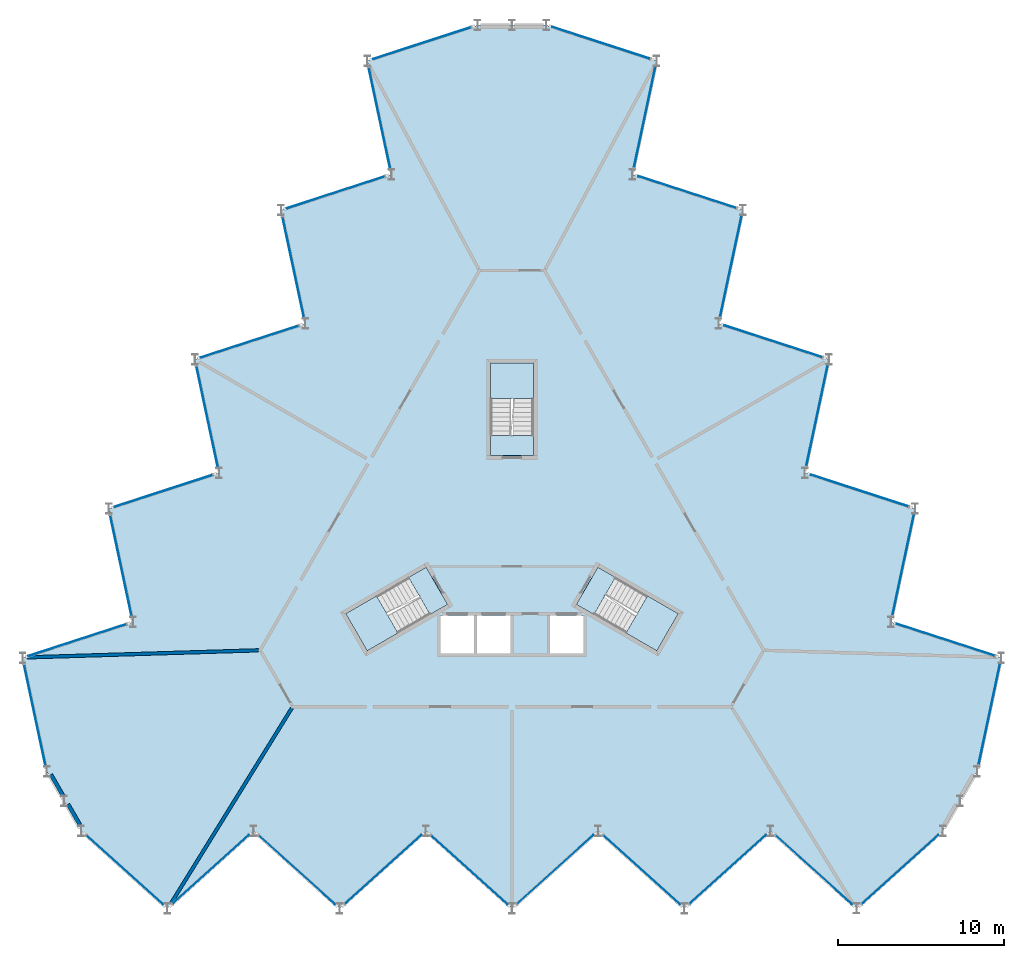
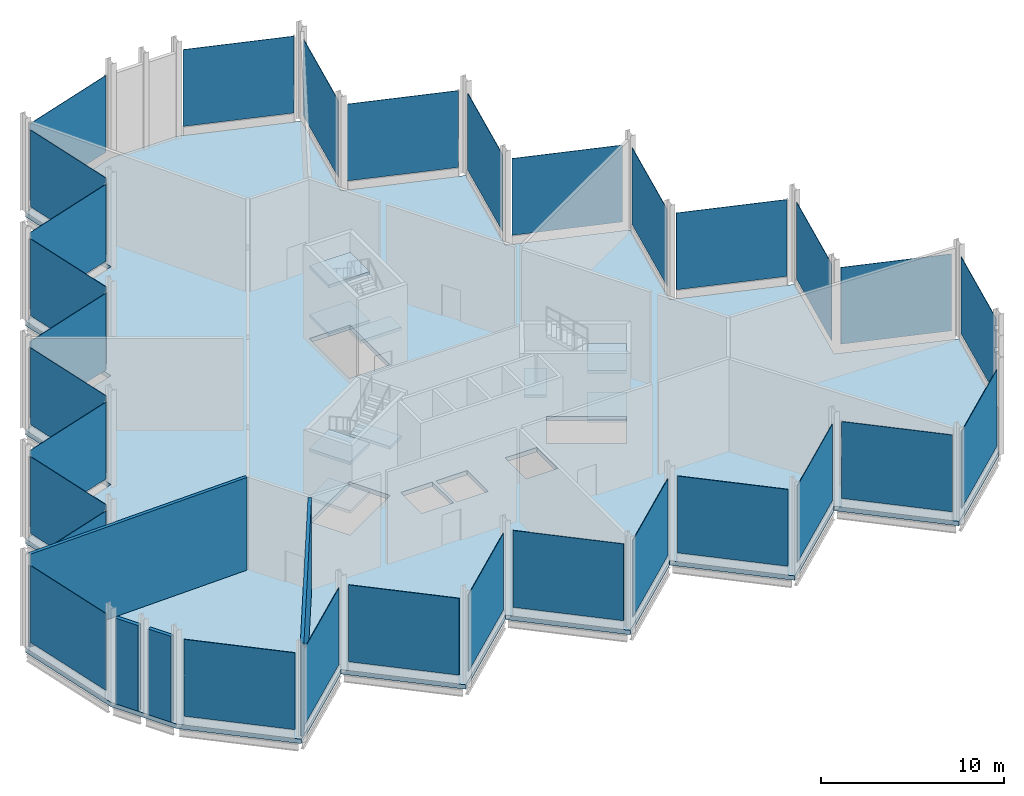
# One storey, part 9 of 12: 30 plates, 10 slabs, 4 walls, 33 elements without a shape of their own.
"""IFC4 building model written with IfcOpenShell, lengths in metres."""

from ifc_helpers import new_model, si_unit, direction, frame, frame_2d, origin, origin_2d, place, context, subcontext, project, spatial, polyline, rectangle, outline, extrude, material, layer, layer_set, type_object, element, aggregate, save


model = new_model("IFC4")

# Units and contexts
model_context = context("Model", 3, precision=1e-05, world=origin(), true_north=direction((0.0, 1.0)))
body_context = subcontext(model_context, "Body", "Model", "MODEL_VIEW")
ifc_project = project(units=[si_unit("LENGTHUNIT", "METRE"), si_unit("AREAUNIT", "SQUARE_METRE"), si_unit("VOLUMEUNIT", "CUBIC_METRE"), si_unit("PLANEANGLEUNIT", "RADIAN"), si_unit("MASSUNIT", "GRAM", prefix="KILO")], contexts=[model_context])

# Site, building, storey
site_placement = place(None, origin())
site = spatial("IfcSite", under=ifc_project, at=site_placement, CompositionType="ELEMENT")
building_placement = place(site_placement, origin())
building = spatial("IfcBuilding", under=site, at=building_placement, Name="Cormorant Prow Tower", CompositionType="ELEMENT")
storey_placement = place(building_placement, frame((0.0, 0.0, 421.699951171875)))
storey = spatial("IfcBuildingStorey", under=building, at=storey_placement, Name="L95", CompositionType="ELEMENT", Elevation=421.699951171875)

# Curtain wall, plate
ifc_material_1 = material(Name="Aluminium 6063-T6", Category="aluminium")
ifc_layer_1 = layer(ifc_material_1, 0.219970703125)
ifc_layer_set_1 = layer_set([ifc_layer_1], Name="Aluminium 6063-T6")
curtain_wall_type = type_object("IfcCurtainWallType", Name="Crown unitised curtain wall 220", PredefinedType="NOTDEFINED", material=ifc_layer_set_1)
curtain_wall_1_placement = place(storey_placement, origin())
curtain_wall_1 = element("IfcCurtainWall", 1, at=curtain_wall_1_placement, inside=storey, type_object=curtain_wall_type, Name="Crown curtain wall crown S00", PredefinedType="NOTDEFINED")
ifc_material_2 = material(Name="Clear glass", Category="glass")
ifc_layer_2 = layer(ifc_material_2, 0.031982421875)
ifc_layer_set_2 = layer_set([ifc_layer_2], Name="Clear glass")
plate_type = type_object("IfcPlateType", Name="Crown glass panel 32", PredefinedType="CURTAIN_PANEL", material=ifc_layer_set_2)
plate_1_placement = place(storey_placement, frame((-23.377685546875, -19.766845703125, 0.60009765625), z_axis=(0.0, 0.0, 1.0), x_axis=(0.743144827638, -0.669130603959, 0.0)))
plate_1 = element("IfcPlate", 2, at=plate_1_placement, type_object=plate_type, Name="Crown glass panel crown S00", PredefinedType="CURTAIN_PANEL", context=body_context, shape_type="SweptSolid", body=[
    extrude(rectangle(XDim=6.205322265625, YDim=0.031982421875, at=origin_2d()), origin(), (0.0, 0.0, 1.0), 5.1337890625),
])
aggregate(curtain_wall_1, [plate_1])

curtain_wall_2_placement = place(storey_placement, origin())
curtain_wall_2 = element("IfcCurtainWall", 3, at=curtain_wall_2_placement, inside=storey, type_object=curtain_wall_type, Name="Crown curtain wall crown S01", PredefinedType="NOTDEFINED")
plate_2_placement = place(storey_placement, frame((-18.177734375, -19.726806640625, 0.60009765625), z_axis=(0.0, 0.0, 1.0), x_axis=(0.743144827638, 0.669130603959, 0.0)))
plate_2 = element("IfcPlate", 4, at=plate_2_placement, type_object=plate_type, Name="Crown glass panel crown S01", PredefinedType="CURTAIN_PANEL", context=body_context, shape_type="SweptSolid", body=[
    extrude(rectangle(XDim=6.205322265625, YDim=0.031982421875, at=origin_2d()), origin(), (0.0, 0.0, 1.0), 5.1337890625),
])
aggregate(curtain_wall_2, [plate_2])

curtain_wall_3_placement = place(storey_placement, origin())
curtain_wall_3 = element("IfcCurtainWall", 5, at=curtain_wall_3_placement, inside=storey, type_object=curtain_wall_type, Name="Crown curtain wall crown S02", PredefinedType="NOTDEFINED")
plate_3_placement = place(storey_placement, frame((-12.977783203125, -19.766845703125, 0.60009765625), z_axis=(0.0, 0.0, 1.0), x_axis=(0.743144827638, -0.669130603959, 0.0)))
plate_3 = element("IfcPlate", 6, at=plate_3_placement, type_object=plate_type, Name="Crown glass panel crown S02", PredefinedType="CURTAIN_PANEL", context=body_context, shape_type="SweptSolid", body=[
    extrude(rectangle(XDim=6.205322265625, YDim=0.031982421875, at=origin_2d()), origin(), (0.0, 0.0, 1.0), 5.1337890625),
])
aggregate(curtain_wall_3, [plate_3])

curtain_wall_4_placement = place(storey_placement, origin())
curtain_wall_4 = element("IfcCurtainWall", 7, at=curtain_wall_4_placement, inside=storey, type_object=curtain_wall_type, Name="Crown curtain wall crown S03", PredefinedType="NOTDEFINED")
plate_4_placement = place(storey_placement, frame((-7.777587890625, -19.726806640625, 0.60009765625), z_axis=(0.0, 0.0, 1.0), x_axis=(0.743144827638, 0.669130603959, 0.0)))
plate_4 = element("IfcPlate", 8, at=plate_4_placement, type_object=plate_type, Name="Crown glass panel crown S03", PredefinedType="CURTAIN_PANEL", context=body_context, shape_type="SweptSolid", body=[
    extrude(rectangle(XDim=6.205322265625, YDim=0.031982421875, at=origin_2d()), origin(), (0.0, 0.0, 1.0), 5.1337890625),
])
aggregate(curtain_wall_4, [plate_4])

curtain_wall_5_placement = place(storey_placement, origin())
curtain_wall_5 = element("IfcCurtainWall", 9, at=curtain_wall_5_placement, inside=storey, type_object=curtain_wall_type, Name="Crown curtain wall crown S04", PredefinedType="NOTDEFINED")
plate_5_placement = place(storey_placement, frame((-2.57763671875, -19.766845703125, 0.60009765625), z_axis=(0.0, 0.0, 1.0), x_axis=(0.743144827638, -0.669130603959, 0.0)))
plate_5 = element("IfcPlate", 10, at=plate_5_placement, type_object=plate_type, Name="Crown glass panel crown S04", PredefinedType="CURTAIN_PANEL", context=body_context, shape_type="SweptSolid", body=[
    extrude(rectangle(XDim=6.205322265625, YDim=0.031982421875, at=origin_2d()), origin(), (0.0, 0.0, 1.0), 5.1337890625),
])
aggregate(curtain_wall_5, [plate_5])

curtain_wall_6_placement = place(storey_placement, origin())
curtain_wall_6 = element("IfcCurtainWall", 11, at=curtain_wall_6_placement, inside=storey, type_object=curtain_wall_type, Name="Crown curtain wall crown S05", PredefinedType="NOTDEFINED")
plate_6_placement = place(storey_placement, frame((2.622314453125, -19.726806640625, 0.60009765625), z_axis=(0.0, 0.0, 1.0), x_axis=(0.743144827638, 0.669130603959, 0.0)))
plate_6 = element("IfcPlate", 12, at=plate_6_placement, type_object=plate_type, Name="Crown glass panel crown S05", PredefinedType="CURTAIN_PANEL", context=body_context, shape_type="SweptSolid", body=[
    extrude(rectangle(XDim=6.205322265625, YDim=0.031982421875, at=origin_2d()), origin(), (0.0, 0.0, 1.0), 5.1337890625),
])
aggregate(curtain_wall_6, [plate_6])

curtain_wall_7_placement = place(storey_placement, origin())
curtain_wall_7 = element("IfcCurtainWall", 13, at=curtain_wall_7_placement, inside=storey, type_object=curtain_wall_type, Name="Crown curtain wall crown S06", PredefinedType="NOTDEFINED")
plate_7_placement = place(storey_placement, frame((7.822265625, -19.766845703125, 0.60009765625), z_axis=(0.0, 0.0, 1.0), x_axis=(0.743144827638, -0.669130603959, 0.0)))
plate_7 = element("IfcPlate", 14, at=plate_7_placement, type_object=plate_type, Name="Crown glass panel crown S06", PredefinedType="CURTAIN_PANEL", context=body_context, shape_type="SweptSolid", body=[
    extrude(rectangle(XDim=6.205322265625, YDim=0.031982421875, at=origin_2d()), origin(), (0.0, 0.0, 1.0), 5.1337890625),
])
aggregate(curtain_wall_7, [plate_7])

curtain_wall_8_placement = place(storey_placement, origin())
curtain_wall_8 = element("IfcCurtainWall", 15, at=curtain_wall_8_placement, inside=storey, type_object=curtain_wall_type, Name="Crown curtain wall crown S07", PredefinedType="NOTDEFINED")
plate_8_placement = place(storey_placement, frame((13.022216796875, -19.726806640625, 0.60009765625), z_axis=(0.0, 0.0, 1.0), x_axis=(0.743144827638, 0.669130603959, 0.0)))
plate_8 = element("IfcPlate", 16, at=plate_8_placement, type_object=plate_type, Name="Crown glass panel crown S07", PredefinedType="CURTAIN_PANEL", context=body_context, shape_type="SweptSolid", body=[
    extrude(rectangle(XDim=6.205322265625, YDim=0.031982421875, at=origin_2d()), origin(), (0.0, 0.0, 1.0), 5.1337890625),
])
aggregate(curtain_wall_8, [plate_8])

curtain_wall_9_placement = place(storey_placement, origin())
curtain_wall_9 = element("IfcCurtainWall", 17, at=curtain_wall_9_placement, inside=storey, type_object=curtain_wall_type, Name="Crown curtain wall crown S08", PredefinedType="NOTDEFINED")
plate_9_placement = place(storey_placement, frame((18.222412109375, -19.766845703125, 0.60009765625), z_axis=(0.0, 0.0, 1.0), x_axis=(0.743144827638, -0.669130603959, 0.0)))
plate_9 = element("IfcPlate", 18, at=plate_9_placement, type_object=plate_type, Name="Crown glass panel crown S08", PredefinedType="CURTAIN_PANEL", context=body_context, shape_type="SweptSolid", body=[
    extrude(rectangle(XDim=6.205322265625, YDim=0.031982421875, at=origin_2d()), origin(), (0.0, 0.0, 1.0), 5.1337890625),
])
aggregate(curtain_wall_9, [plate_9])

curtain_wall_10_placement = place(storey_placement, origin())
curtain_wall_10 = element("IfcCurtainWall", 19, at=curtain_wall_10_placement, inside=storey, type_object=curtain_wall_type, Name="Crown curtain wall crown S09", PredefinedType="NOTDEFINED")
plate_10_placement = place(storey_placement, frame((23.42236328125, -19.726806640625, 0.60009765625), z_axis=(0.0, 0.0, 1.0), x_axis=(0.743144827638, 0.669130603959, 0.0)))
plate_10 = element("IfcPlate", 20, at=plate_10_placement, type_object=plate_type, Name="Crown glass panel crown S09", PredefinedType="CURTAIN_PANEL", context=body_context, shape_type="SweptSolid", body=[
    extrude(rectangle(XDim=6.205322265625, YDim=0.031982421875, at=origin_2d()), origin(), (0.0, 0.0, 1.0), 5.1337890625),
])
aggregate(curtain_wall_10, [plate_10])

curtain_wall_11_placement = place(storey_placement, origin())
curtain_wall_11 = element("IfcCurtainWall", 21, at=curtain_wall_11_placement, inside=storey, type_object=curtain_wall_type, Name="Crown curtain wall crown ENE00", PredefinedType="NOTDEFINED")
plate_11_placement = place(storey_placement, frame((28.807373046875, -10.3623046875, 0.60009765625), z_axis=(0.0, 0.0, 1.0), x_axis=(0.207911620089, 0.978147615768, 0.0)))
plate_11 = element("IfcPlate", 22, at=plate_11_placement, type_object=plate_type, Name="Crown glass panel crown ENE00", PredefinedType="CURTAIN_PANEL", context=body_context, shape_type="SweptSolid", body=[
    extrude(rectangle(XDim=6.205322265625, YDim=0.031982421875, at=origin_2d()), origin(), (0.0, 0.0, 1.0), 5.1337890625),
])
aggregate(curtain_wall_11, [plate_11])

curtain_wall_12_placement = place(storey_placement, origin())
curtain_wall_12 = element("IfcCurtainWall", 23, at=curtain_wall_12_placement, inside=storey, type_object=curtain_wall_type, Name="Crown curtain wall crown ENE01", PredefinedType="NOTDEFINED")
plate_12_placement = place(storey_placement, frame((26.172607421875, -5.87890625, 0.60009765625), z_axis=(0.0, 0.0, 1.0), x_axis=(-0.951056534902, 0.309016937108, 0.0)))
plate_12 = element("IfcPlate", 24, at=plate_12_placement, type_object=plate_type, Name="Crown glass panel crown ENE01", PredefinedType="CURTAIN_PANEL", context=body_context, shape_type="SweptSolid", body=[
    extrude(rectangle(XDim=6.205322265625, YDim=0.031982421875, at=origin_2d()), origin(), (0.0, 0.0, 1.0), 5.1337890625),
])
aggregate(curtain_wall_12, [plate_12])

curtain_wall_13_placement = place(storey_placement, origin())
curtain_wall_13 = element("IfcCurtainWall", 25, at=curtain_wall_13_placement, inside=storey, type_object=curtain_wall_type, Name="Crown curtain wall crown ENE02", PredefinedType="NOTDEFINED")
plate_13_placement = place(storey_placement, frame((23.607421875, -1.355712890625, 0.60009765625), z_axis=(0.0, 0.0, 1.0), x_axis=(0.207911620089, 0.978147615768, 0.0)))
plate_13 = element("IfcPlate", 26, at=plate_13_placement, type_object=plate_type, Name="Crown glass panel crown ENE02", PredefinedType="CURTAIN_PANEL", context=body_context, shape_type="SweptSolid", body=[
    extrude(rectangle(XDim=6.205322265625, YDim=0.031982421875, at=origin_2d()), origin(), (0.0, 0.0, 1.0), 5.1337890625),
])
aggregate(curtain_wall_13, [plate_13])

curtain_wall_14_placement = place(storey_placement, origin())
curtain_wall_14 = element("IfcCurtainWall", 27, at=curtain_wall_14_placement, inside=storey, type_object=curtain_wall_type, Name="Crown curtain wall crown ENE03", PredefinedType="NOTDEFINED")
plate_14_placement = place(storey_placement, frame((20.97265625, 3.127685546875, 0.60009765625), z_axis=(0.0, 0.0, 1.0), x_axis=(-0.951056492904, 0.309017066365, 0.0)))
plate_14 = element("IfcPlate", 28, at=plate_14_placement, type_object=plate_type, Name="Crown glass panel crown ENE03", PredefinedType="CURTAIN_PANEL", context=body_context, shape_type="SweptSolid", body=[
    extrude(rectangle(XDim=6.205322265625, YDim=0.031982421875, at=origin_2d()), origin(), (0.0, 0.0, 1.0), 5.1337890625),
])
aggregate(curtain_wall_14, [plate_14])

curtain_wall_15_placement = place(storey_placement, origin())
curtain_wall_15 = element("IfcCurtainWall", 29, at=curtain_wall_15_placement, inside=storey, type_object=curtain_wall_type, Name="Crown curtain wall crown ENE04", PredefinedType="NOTDEFINED")
plate_15_placement = place(storey_placement, frame((18.407470703125, 7.651123046875, 0.60009765625), z_axis=(0.0, 0.0, 1.0), x_axis=(0.207911649162, 0.978147609588, 0.0)))
plate_15 = element("IfcPlate", 30, at=plate_15_placement, type_object=plate_type, Name="Crown glass panel crown ENE04", PredefinedType="CURTAIN_PANEL", context=body_context, shape_type="SweptSolid", body=[
    extrude(rectangle(XDim=6.205322265625, YDim=0.031982421875, at=origin_2d()), origin(), (0.0, 0.0, 1.0), 5.1337890625),
])
aggregate(curtain_wall_15, [plate_15])

curtain_wall_16_placement = place(storey_placement, origin())
curtain_wall_16 = element("IfcCurtainWall", 31, at=curtain_wall_16_placement, inside=storey, type_object=curtain_wall_type, Name="Crown curtain wall crown ENE05", PredefinedType="NOTDEFINED")
plate_16_placement = place(storey_placement, frame((15.772705078125, 12.13427734375, 0.60009765625), z_axis=(0.0, 0.0, 1.0), x_axis=(-0.951056492904, 0.309017066365, 0.0)))
plate_16 = element("IfcPlate", 32, at=plate_16_placement, type_object=plate_type, Name="Crown glass panel crown ENE05", PredefinedType="CURTAIN_PANEL", context=body_context, shape_type="SweptSolid", body=[
    extrude(rectangle(XDim=6.205322265625, YDim=0.031982421875, at=origin_2d()), origin(), (0.0, 0.0, 1.0), 5.1337890625),
])
aggregate(curtain_wall_16, [plate_16])

curtain_wall_17_placement = place(storey_placement, origin())
curtain_wall_17 = element("IfcCurtainWall", 33, at=curtain_wall_17_placement, inside=storey, type_object=curtain_wall_type, Name="Crown curtain wall crown ENE06", PredefinedType="NOTDEFINED")
plate_17_placement = place(storey_placement, frame((13.20751953125, 16.65771484375, 0.60009765625), z_axis=(0.0, 0.0, 1.0), x_axis=(0.207911620089, 0.978147615768, 0.0)))
plate_17 = element("IfcPlate", 34, at=plate_17_placement, type_object=plate_type, Name="Crown glass panel crown ENE06", PredefinedType="CURTAIN_PANEL", context=body_context, shape_type="SweptSolid", body=[
    extrude(rectangle(XDim=6.205322265625, YDim=0.031982421875, at=origin_2d()), origin(), (0.0, 0.0, 1.0), 5.1337890625),
])
aggregate(curtain_wall_17, [plate_17])

curtain_wall_18_placement = place(storey_placement, origin())
curtain_wall_18 = element("IfcCurtainWall", 35, at=curtain_wall_18_placement, inside=storey, type_object=curtain_wall_type, Name="Crown curtain wall crown ENE07", PredefinedType="NOTDEFINED")
plate_18_placement = place(storey_placement, frame((10.57275390625, 21.140869140625, 0.60009765625), z_axis=(0.0, 0.0, 1.0), x_axis=(-0.951056534902, 0.309016937108, 0.0)))
plate_18 = element("IfcPlate", 36, at=plate_18_placement, type_object=plate_type, Name="Crown glass panel crown ENE07", PredefinedType="CURTAIN_PANEL", context=body_context, shape_type="SweptSolid", body=[
    extrude(rectangle(XDim=6.205322265625, YDim=0.031982421875, at=origin_2d()), origin(), (0.0, 0.0, 1.0), 5.1337890625),
])
aggregate(curtain_wall_18, [plate_18])

curtain_wall_19_placement = place(storey_placement, origin())
curtain_wall_19 = element("IfcCurtainWall", 37, at=curtain_wall_19_placement, inside=storey, type_object=curtain_wall_type, Name="Crown curtain wall crown ENE08", PredefinedType="NOTDEFINED")
plate_19_placement = place(storey_placement, frame((8.007568359375, 25.664306640625, 0.60009765625), z_axis=(0.0, 0.0, 1.0), x_axis=(0.207911620089, 0.978147615768, 0.0)))
plate_19 = element("IfcPlate", 38, at=plate_19_placement, type_object=plate_type, Name="Crown glass panel crown ENE08", PredefinedType="CURTAIN_PANEL", context=body_context, shape_type="SweptSolid", body=[
    extrude(rectangle(XDim=6.205322265625, YDim=0.031982421875, at=origin_2d()), origin(), (0.0, 0.0, 1.0), 5.1337890625),
])
aggregate(curtain_wall_19, [plate_19])

curtain_wall_20_placement = place(storey_placement, origin())
curtain_wall_20 = element("IfcCurtainWall", 39, at=curtain_wall_20_placement, inside=storey, type_object=curtain_wall_type, Name="Crown curtain wall crown ENE09", PredefinedType="NOTDEFINED")
plate_20_placement = place(storey_placement, frame((5.37255859375, 30.147705078125, 0.60009765625), z_axis=(0.0, 0.0, 1.0), x_axis=(-0.951056492904, 0.309017066365, 0.0)))
plate_20 = element("IfcPlate", 40, at=plate_20_placement, type_object=plate_type, Name="Crown glass panel crown ENE09", PredefinedType="CURTAIN_PANEL", context=body_context, shape_type="SweptSolid", body=[
    extrude(rectangle(XDim=6.205322265625, YDim=0.031982421875, at=origin_2d()), origin(), (0.0, 0.0, 1.0), 5.1337890625),
])
aggregate(curtain_wall_20, [plate_20])

curtain_wall_21_placement = place(storey_placement, origin())
curtain_wall_21 = element("IfcCurtainWall", 41, at=curtain_wall_21_placement, inside=storey, type_object=curtain_wall_type, Name="Crown curtain wall crown WNW00", PredefinedType="NOTDEFINED")
plate_21_placement = place(storey_placement, frame((-5.4296875, 30.129150390625, 0.60009765625), z_axis=(0.0, 0.0, 1.0), x_axis=(-0.951056492904, -0.309017066365, 0.0)))
plate_21 = element("IfcPlate", 42, at=plate_21_placement, type_object=plate_type, Name="Crown glass panel crown WNW00", PredefinedType="CURTAIN_PANEL", context=body_context, shape_type="SweptSolid", body=[
    extrude(rectangle(XDim=6.205322265625, YDim=0.031982421875, at=origin_2d()), origin(), (0.0, 0.0, 1.0), 5.1337890625),
])
aggregate(curtain_wall_21, [plate_21])

curtain_wall_22_placement = place(storey_placement, origin())
curtain_wall_22 = element("IfcCurtainWall", 43, at=curtain_wall_22_placement, inside=storey, type_object=curtain_wall_type, Name="Crown curtain wall crown WNW01", PredefinedType="NOTDEFINED")
plate_22_placement = place(storey_placement, frame((-7.994873046875, 25.605712890625, 0.60009765625), z_axis=(0.0, 0.0, 1.0), x_axis=(0.207911620089, -0.978147615768, 0.0)))
plate_22 = element("IfcPlate", 44, at=plate_22_placement, type_object=plate_type, Name="Crown glass panel crown WNW01", PredefinedType="CURTAIN_PANEL", context=body_context, shape_type="SweptSolid", body=[
    extrude(rectangle(XDim=6.205322265625, YDim=0.031982421875, at=origin_2d()), origin(), (0.0, 0.0, 1.0), 5.1337890625),
])
aggregate(curtain_wall_22, [plate_22])

curtain_wall_23_placement = place(storey_placement, origin())
curtain_wall_23 = element("IfcCurtainWall", 45, at=curtain_wall_23_placement, inside=storey, type_object=curtain_wall_type, Name="Crown curtain wall crown WNW02", PredefinedType="NOTDEFINED")
plate_23_placement = place(storey_placement, frame((-10.629638671875, 21.12255859375, 0.60009765625), z_axis=(0.0, 0.0, 1.0), x_axis=(-0.951056534902, -0.309016937108, 0.0)))
plate_23 = element("IfcPlate", 46, at=plate_23_placement, type_object=plate_type, Name="Crown glass panel crown WNW02", PredefinedType="CURTAIN_PANEL", context=body_context, shape_type="SweptSolid", body=[
    extrude(rectangle(XDim=6.205322265625, YDim=0.031982421875, at=origin_2d()), origin(), (0.0, 0.0, 1.0), 5.1337890625),
])
aggregate(curtain_wall_23, [plate_23])

curtain_wall_24_placement = place(storey_placement, origin())
curtain_wall_24 = element("IfcCurtainWall", 47, at=curtain_wall_24_placement, inside=storey, type_object=curtain_wall_type, Name="Crown curtain wall crown WNW03", PredefinedType="NOTDEFINED")
plate_24_placement = place(storey_placement, frame((-13.195068359375, 16.59912109375, 0.60009765625), z_axis=(0.0, 0.0, 1.0), x_axis=(0.207911620089, -0.978147615768, 0.0)))
plate_24 = element("IfcPlate", 48, at=plate_24_placement, type_object=plate_type, Name="Crown glass panel crown WNW03", PredefinedType="CURTAIN_PANEL", context=body_context, shape_type="SweptSolid", body=[
    extrude(rectangle(XDim=6.205322265625, YDim=0.031982421875, at=origin_2d()), origin(), (0.0, 0.0, 1.0), 5.1337890625),
])
aggregate(curtain_wall_24, [plate_24])

curtain_wall_25_placement = place(storey_placement, origin())
curtain_wall_25 = element("IfcCurtainWall", 49, at=curtain_wall_25_placement, inside=storey, type_object=curtain_wall_type, Name="Crown curtain wall crown WNW04", PredefinedType="NOTDEFINED")
plate_25_placement = place(storey_placement, frame((-15.829833984375, 12.11572265625, 0.60009765625), z_axis=(0.0, 0.0, 1.0), x_axis=(-0.951056492904, -0.309017066365, 0.0)))
plate_25 = element("IfcPlate", 50, at=plate_25_placement, type_object=plate_type, Name="Crown glass panel crown WNW04", PredefinedType="CURTAIN_PANEL", context=body_context, shape_type="SweptSolid", body=[
    extrude(rectangle(XDim=6.205322265625, YDim=0.031982421875, at=origin_2d()), origin(), (0.0, 0.0, 1.0), 5.1337890625),
])
aggregate(curtain_wall_25, [plate_25])

curtain_wall_26_placement = place(storey_placement, origin())
curtain_wall_26 = element("IfcCurtainWall", 51, at=curtain_wall_26_placement, inside=storey, type_object=curtain_wall_type, Name="Crown curtain wall crown WNW05", PredefinedType="NOTDEFINED")
plate_26_placement = place(storey_placement, frame((-18.39501953125, 7.59228515625, 0.60009765625), z_axis=(0.0, 0.0, 1.0), x_axis=(0.207911649162, -0.978147609588, 0.0)))
plate_26 = element("IfcPlate", 52, at=plate_26_placement, type_object=plate_type, Name="Crown glass panel crown WNW05", PredefinedType="CURTAIN_PANEL", context=body_context, shape_type="SweptSolid", body=[
    extrude(rectangle(XDim=6.205322265625, YDim=0.031982421875, at=origin_2d()), origin(), (0.0, 0.0, 1.0), 5.1337890625),
])
aggregate(curtain_wall_26, [plate_26])

curtain_wall_27_placement = place(storey_placement, origin())
curtain_wall_27 = element("IfcCurtainWall", 53, at=curtain_wall_27_placement, inside=storey, type_object=curtain_wall_type, Name="Crown curtain wall crown WNW06", PredefinedType="NOTDEFINED")
plate_27_placement = place(storey_placement, frame((-21.02978515625, 3.109130859375, 0.60009765625), z_axis=(0.0, 0.0, 1.0), x_axis=(-0.951056492904, -0.309017066365, 0.0)))
plate_27 = element("IfcPlate", 54, at=plate_27_placement, type_object=plate_type, Name="Crown glass panel crown WNW06", PredefinedType="CURTAIN_PANEL", context=body_context, shape_type="SweptSolid", body=[
    extrude(rectangle(XDim=6.205322265625, YDim=0.031982421875, at=origin_2d()), origin(), (0.0, 0.0, 1.0), 5.1337890625),
])
aggregate(curtain_wall_27, [plate_27])

curtain_wall_28_placement = place(storey_placement, origin())
curtain_wall_28 = element("IfcCurtainWall", 55, at=curtain_wall_28_placement, inside=storey, type_object=curtain_wall_type, Name="Crown curtain wall crown WNW07", PredefinedType="NOTDEFINED")
plate_28_placement = place(storey_placement, frame((-23.594970703125, -1.414306640625, 0.60009765625), z_axis=(0.0, 0.0, 1.0), x_axis=(0.207911620089, -0.978147615768, 0.0)))
plate_28 = element("IfcPlate", 56, at=plate_28_placement, type_object=plate_type, Name="Crown glass panel crown WNW07", PredefinedType="CURTAIN_PANEL", context=body_context, shape_type="SweptSolid", body=[
    extrude(rectangle(XDim=6.205322265625, YDim=0.031982421875, at=origin_2d()), origin(), (0.0, 0.0, 1.0), 5.1337890625),
])
aggregate(curtain_wall_28, [plate_28])

curtain_wall_29_placement = place(storey_placement, origin())
curtain_wall_29 = element("IfcCurtainWall", 57, at=curtain_wall_29_placement, inside=storey, type_object=curtain_wall_type, Name="Crown curtain wall crown WNW08", PredefinedType="NOTDEFINED")
plate_29_placement = place(storey_placement, frame((-26.229736328125, -5.8974609375, 0.60009765625), z_axis=(0.0, 0.0, 1.0), x_axis=(-0.951056534902, -0.309016937108, 0.0)))
plate_29 = element("IfcPlate", 58, at=plate_29_placement, type_object=plate_type, Name="Crown glass panel crown WNW08", PredefinedType="CURTAIN_PANEL", context=body_context, shape_type="SweptSolid", body=[
    extrude(rectangle(XDim=6.205322265625, YDim=0.031982421875, at=origin_2d()), origin(), (0.0, 0.0, 1.0), 5.1337890625),
])
aggregate(curtain_wall_29, [plate_29])

curtain_wall_30_placement = place(storey_placement, origin())
curtain_wall_30 = element("IfcCurtainWall", 59, at=curtain_wall_30_placement, inside=storey, type_object=curtain_wall_type, Name="Crown curtain wall crown WNW09", PredefinedType="NOTDEFINED")
plate_30_placement = place(storey_placement, frame((-28.794921875, -10.4208984375, 0.60009765625), z_axis=(0.0, 0.0, 1.0), x_axis=(0.207911620089, -0.978147615768, 0.0)))
plate_30 = element("IfcPlate", 60, at=plate_30_placement, type_object=plate_type, Name="Crown glass panel crown WNW09", PredefinedType="CURTAIN_PANEL", context=body_context, shape_type="SweptSolid", body=[
    extrude(rectangle(XDim=6.205322265625, YDim=0.031982421875, at=origin_2d()), origin(), (0.0, 0.0, 1.0), 5.1337890625),
])
aggregate(curtain_wall_30, [plate_30])

# Slab
ifc_material_3 = material(Name="Concrete C40/50", Category="concrete")
ifc_layer_3 = layer(ifc_material_3, 0.300048828125)
ifc_layer_set_3 = layer_set([ifc_layer_3], Name="Concrete C40/50")
slab_type_1 = type_object("IfcSlabType", Name="Post-tensioned flat slab 300", PredefinedType="FLOOR", material=ifc_layer_set_3)
slab_1_placement = place(storey_placement, frame((0.0, 0.0, -0.300048828125)))
element("IfcSlab", 61, at=slab_1_placement, inside=storey, type_object=slab_type_1, Name="Floor slab L95", PredefinedType="FLOOR", context=body_context, shape_type="SweptSolid", body=[
    extrude(outline(polyline([(-19.128662109375, 11.0439453125), (-17.673828125, 4.199462890625), (-24.32861328125, 2.037353515625), (-22.873779296875, -4.80712890625), (-29.528564453125, -6.969482421875), (-28.07373046875, -13.813720703125), (-27.036865234375, -15.60986328125), (-26.0, -17.40576171875), (-20.800048828125, -22.087890625), (-15.60009765625, -17.40576171875), (-10.39990234375, -22.087890625), (-5.199951171875, -17.40576171875), (0.0, -22.087890625), (5.199951171875, -17.40576171875), (10.39990234375, -22.087890625), (15.60009765625, -17.40576171875), (20.800048828125, -22.087890625), (26.0, -17.40576171875), (27.036865234375, -15.60986328125), (28.07373046875, -13.813720703125), (29.528564453125, -6.969482421875), (22.873779296875, -4.80712890625), (24.32861328125, 2.037353515625), (17.673828125, 4.199462890625), (19.128662109375, 11.0439453125), (12.473876953125, 13.206298828125), (13.9287109375, 20.050537109375), (7.273681640625, 22.212890625), (8.728515625, 29.05712890625), (2.07373046875, 31.219482421875), (0.0, 31.219482421875), (-2.07373046875, 31.219482421875), (-8.728515625, 29.05712890625), (-7.273681640625, 22.212890625), (-13.9287109375, 20.050537109375), (-12.473876953125, 13.206298828125), (-19.128662109375, 11.0439453125)]), holes=[polyline([(-4.300048828125, -4.39990234375), (-2.300048828125, -4.39990234375), (-2.300048828125, -6.699951171875), (-4.300048828125, -6.699951171875), (-4.300048828125, -4.39990234375)]), polyline([(-0.10009765625, -4.39990234375), (-0.10009765625, -6.699951171875), (-2.10009765625, -6.699951171875), (-2.10009765625, -4.39990234375), (-0.10009765625, -4.39990234375)]), polyline([(4.300048828125, -6.699951171875), (2.300048828125, -6.699951171875), (2.300048828125, -4.39990234375), (4.300048828125, -4.39990234375), (4.300048828125, -6.699951171875)]), polyline([(-4.947509765625, -4.3505859375), (-8.738037109375, -6.5390625), (-10.031982421875, -4.2978515625), (-6.241455078125, -2.109375), (-4.947509765625, -4.3505859375)]), polyline([(10.031982421875, -4.2978515625), (8.738037109375, -6.5390625), (4.947509765625, -4.3505859375), (6.241455078125, -2.109375), (10.031982421875, -4.2978515625)]), polyline([(1.2939453125, 10.8369140625), (1.2939453125, 6.459716796875), (-1.2939453125, 6.459716796875), (-1.2939453125, 10.8369140625), (1.2939453125, 10.8369140625)])]), origin(), (0.0, 0.0, 1.0), 0.300048828125),
])

# Stair, slabs
ifc_material_4 = material(Name="Exit stair 36 risers")
stair_type = type_object("IfcStairType", Name="Exit stair 36 risers", PredefinedType="HALF_TURN_STAIR", material=ifc_material_4)
stair_1_placement = place(storey_placement, origin())
stair_1 = element("IfcStair", 62, at=stair_1_placement, inside=storey, type_object=stair_type, Name="L95 Exit stair ST1", PredefinedType="HALF_TURN_STAIR")
ifc_material_5 = material(Name="Concrete 5000 psi", Category="concrete")
ifc_layer_4 = layer(ifc_material_5, 0.199951171875)
ifc_layer_set_4 = layer_set([ifc_layer_4], Name="Concrete 5000 psi")
slab_type_2 = type_object("IfcSlabType", Name="Stair landing 200", PredefinedType="LANDING", material=ifc_layer_set_4)
slab_2_placement = place(storey_placement, frame((0.0, 0.0, 1.425048828125)))
slab_2 = element("IfcSlab", 63, at=slab_2_placement, type_object=slab_type_2, Name="ST1 landing 1", PredefinedType="LANDING", context=body_context, shape_type="SweptSolid", body=[
    extrude(outline(polyline([(-8.17431640625, -3.225341796875), (-10.031982421875, -4.2978515625), (-8.738037109375, -6.5390625), (-6.88037109375, -5.466552734375), (-8.17431640625, -3.225341796875)])), origin(), (0.0, 0.0, 1.0), 0.199951171875),
])
slab_3_placement = place(storey_placement, frame((0.0, 0.0, 3.050048828125)))
slab_3 = element("IfcSlab", 64, at=slab_3_placement, type_object=slab_type_2, Name="ST1 landing 2", PredefinedType="LANDING", context=body_context, shape_type="SweptSolid", body=[
    extrude(outline(polyline([(-5.18212890625, -1.497802734375), (-6.241455078125, -2.109375), (-4.947265625, -4.3505859375), (-3.88818359375, -3.739013671875), (-5.18212890625, -1.497802734375)])), origin(), (0.0, 0.0, 1.0), 0.199951171875),
])
slab_4_placement = place(storey_placement, frame((0.0, 0.0, 4.675048828125)))
slab_4 = element("IfcSlab", 65, at=slab_4_placement, type_object=slab_type_2, Name="ST1 landing 3", PredefinedType="LANDING", context=body_context, shape_type="SweptSolid", body=[
    extrude(outline(polyline([(-8.17431640625, -3.225341796875), (-10.031982421875, -4.2978515625), (-8.738037109375, -6.5390625), (-6.88037109375, -5.466552734375), (-8.17431640625, -3.225341796875)])), origin(), (0.0, 0.0, 1.0), 0.199951171875),
])
aggregate(stair_1, [slab_2, slab_3, slab_4])

stair_2_placement = place(storey_placement, origin())
stair_2 = element("IfcStair", 66, at=stair_2_placement, inside=storey, type_object=stair_type, Name="L95 Exit stair ST2", PredefinedType="HALF_TURN_STAIR")
slab_5_placement = place(storey_placement, frame((0.0, 0.0, 1.425048828125)))
slab_5 = element("IfcSlab", 67, at=slab_5_placement, type_object=slab_type_2, Name="ST2 landing 1", PredefinedType="LANDING", context=body_context, shape_type="SweptSolid", body=[
    extrude(outline(polyline([(6.88037109375, -5.466552734375), (8.738037109375, -6.5390625), (10.031982421875, -4.2978515625), (8.17431640625, -3.225341796875), (6.88037109375, -5.466552734375)])), origin(), (0.0, 0.0, 1.0), 0.199951171875),
])
slab_6_placement = place(storey_placement, frame((0.0, 0.0, 3.050048828125)))
slab_6 = element("IfcSlab", 68, at=slab_6_placement, type_object=slab_type_2, Name="ST2 landing 2", PredefinedType="LANDING", context=body_context, shape_type="SweptSolid", body=[
    extrude(outline(polyline([(3.88818359375, -3.739013671875), (4.947265625, -4.3505859375), (6.241455078125, -2.109375), (5.18212890625, -1.497802734375), (3.88818359375, -3.739013671875)])), origin(), (0.0, 0.0, 1.0), 0.199951171875),
])
slab_7_placement = place(storey_placement, frame((0.0, 0.0, 4.675048828125)))
slab_7 = element("IfcSlab", 69, at=slab_7_placement, type_object=slab_type_2, Name="ST2 landing 3", PredefinedType="LANDING", context=body_context, shape_type="SweptSolid", body=[
    extrude(outline(polyline([(6.88037109375, -5.466552734375), (8.738037109375, -6.5390625), (10.031982421875, -4.2978515625), (8.17431640625, -3.225341796875), (6.88037109375, -5.466552734375)])), origin(), (0.0, 0.0, 1.0), 0.199951171875),
])
aggregate(stair_2, [slab_5, slab_6, slab_7])

stair_3_placement = place(storey_placement, origin())
stair_3 = element("IfcStair", 70, at=stair_3_placement, inside=storey, type_object=stair_type, Name="L95 Exit stair ST3", PredefinedType="HALF_TURN_STAIR")
slab_8_placement = place(storey_placement, frame((0.0, 0.0, 1.425048828125)))
slab_8 = element("IfcSlab", 71, at=slab_8_placement, type_object=slab_type_2, Name="ST3 landing 1", PredefinedType="LANDING", context=body_context, shape_type="SweptSolid", body=[
    extrude(outline(polyline([(1.2939453125, 8.69189453125), (1.2939453125, 10.8369140625), (-1.2939453125, 10.8369140625), (-1.2939453125, 8.69189453125), (1.2939453125, 8.69189453125)])), origin(), (0.0, 0.0, 1.0), 0.199951171875),
])
slab_9_placement = place(storey_placement, frame((0.0, 0.0, 3.050048828125)))
slab_9 = element("IfcSlab", 72, at=slab_9_placement, type_object=slab_type_2, Name="ST3 landing 2", PredefinedType="LANDING", context=body_context, shape_type="SweptSolid", body=[
    extrude(outline(polyline([(1.2939453125, 5.23681640625), (1.2939453125, 6.459716796875), (-1.2939453125, 6.459716796875), (-1.2939453125, 5.23681640625), (1.2939453125, 5.23681640625)])), origin(), (0.0, 0.0, 1.0), 0.199951171875),
])
slab_10_placement = place(storey_placement, frame((0.0, 0.0, 4.675048828125)))
slab_10 = element("IfcSlab", 73, at=slab_10_placement, type_object=slab_type_2, Name="ST3 landing 3", PredefinedType="LANDING", context=body_context, shape_type="SweptSolid", body=[
    extrude(outline(polyline([(1.2939453125, 8.69189453125), (1.2939453125, 10.8369140625), (-1.2939453125, 10.8369140625), (-1.2939453125, 8.69189453125), (1.2939453125, 8.69189453125)])), origin(), (0.0, 0.0, 1.0), 0.199951171875),
])
aggregate(stair_3, [slab_8, slab_9, slab_10])

# Walls
ifc_material_6 = material(Name="Gypsum board demising wall")
ifc_layer_5 = layer(ifc_material_6, 0.199951171875)
ifc_layer_set_5 = layer_set([ifc_layer_5], Name="Gypsum board demising wall")
wall_type_1 = type_object("IfcWallType", Name="Demising wall 200", PredefinedType="PARTITIONING", material=ifc_layer_set_5)
wall_1_placement = place(storey_placement, frame((-29.260498046875, -6.934814453125, 0.0), z_axis=(0.0, 0.0, 1.0), x_axis=(0.999534583604, 0.030506002359, 0.0)))
element("IfcWall", 74, at=wall_1_placement, inside=storey, type_object=wall_type_1, Name="Demising wall", PredefinedType="PARTITIONING", context=body_context, shape_type="SweptSolid", body=[
    extrude(rectangle(XDim=13.973388671875, YDim=0.199951171875, at=frame_2d((6.98681640625, 0.0))), origin(), (0.0, 0.0, 1.0), 6.199951171875),
])
wall_2_placement = place(storey_placement, frame((-20.608154296875, -21.827880859375, 0.0), z_axis=(0.0, 0.0, 1.0), x_axis=(0.526187960676, 0.850368290825, 0.0)))
element("IfcWall", 75, at=wall_2_placement, inside=storey, type_object=wall_type_1, Name="Demising wall", PredefinedType="PARTITIONING", context=body_context, shape_type="SweptSolid", body=[
    extrude(rectangle(XDim=13.92041015625, YDim=0.199951171875, at=frame_2d((6.960205078125, 0.0))), origin(), (0.0, 0.0, 1.0), 6.199951171875),
])
ifc_material_7 = material(Name="Terracotta", Category="masonry")
ifc_layer_6 = layer(ifc_material_7, 0.22998046875)
ifc_layer_set_6 = layer_set([ifc_layer_6], Name="Terracotta")
wall_type_2 = type_object("IfcWallType", Name="Terracotta crown cladding wall 230", PredefinedType="SOLIDWALL", material=ifc_layer_set_6)
for number, where, z_axis, x_axis, name in (
    (76, (-27.830810546875, -14.004638671875, 0.0), (0.0, 0.0, 1.0), (0.500001025616, -0.866024811644, 0.0), "Terracotta crown wall WSW00"),
    (77, (-26.7939453125, -15.800537109375, 0.0), (0.0, 0.0, 1.0), (0.500001025616, -0.866024811644, 0.0), "Terracotta crown wall WSW01"),
):
    element("IfcWall", number, at=place(storey_placement, frame(where, z_axis=z_axis, x_axis=x_axis)), inside=storey, type_object=wall_type_2, Name=name, PredefinedType="SOLIDWALL", context=body_context, shape_type="SweptSolid", body=[
        extrude(rectangle(XDim=1.44140625, YDim=0.22998046875, at=frame_2d((0.720703125, 0.0))), origin(), (0.0, 0.0, 1.0), 5.73388671875),
    ])

save(model, "model.ifc")
